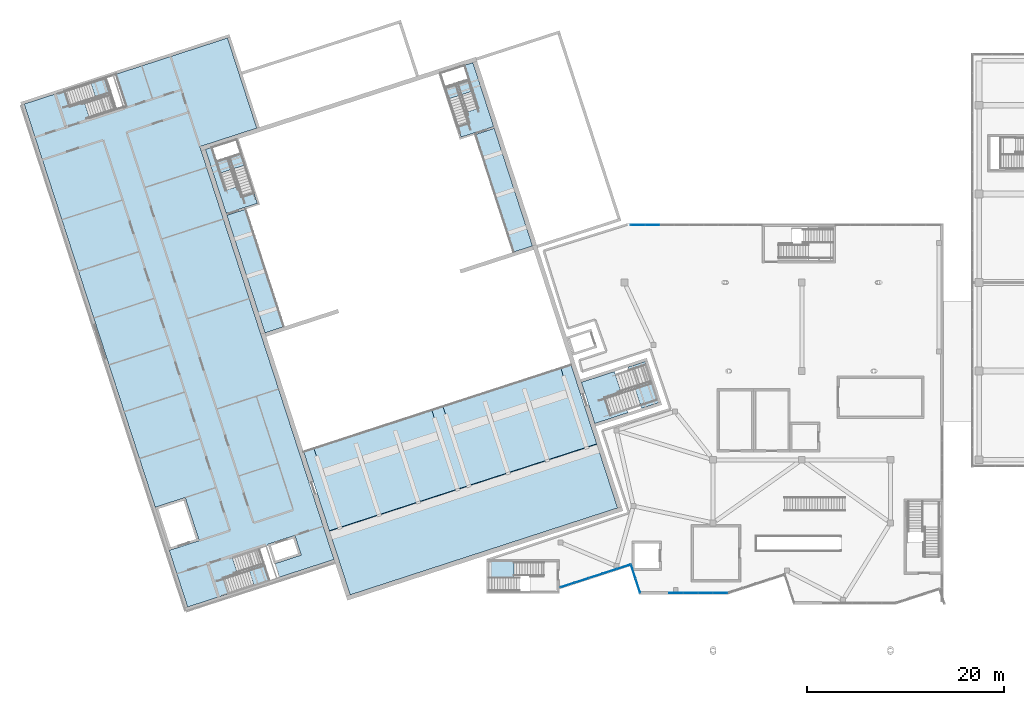
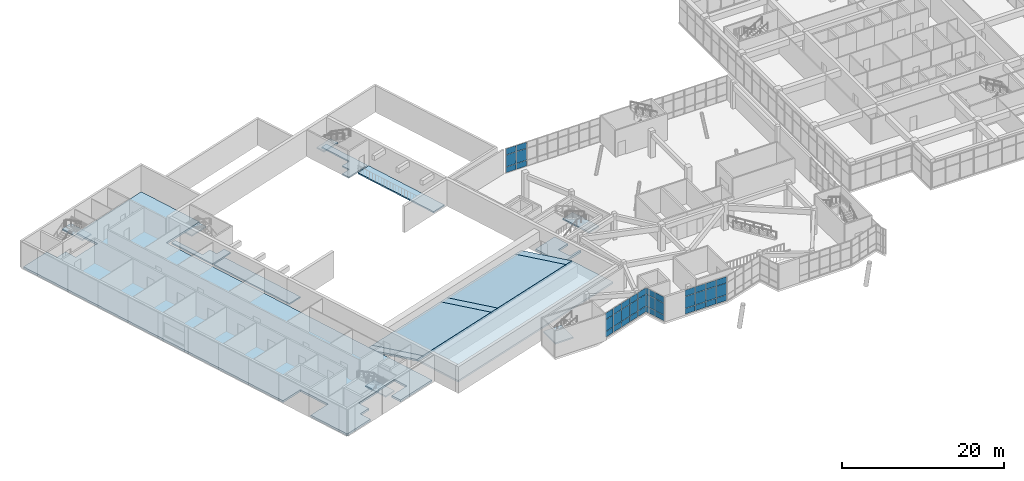
# One storey, part 46 of 66: 39 plates, 18 slabs, 10 elements without a shape of their own.
"""IFC4 building model written with IfcOpenShell, lengths in metres."""

from ifc_helpers import new_model, si_unit, direction, frame, origin, origin_2d, place, context, subcontext, project, spatial, polyline, rectangle, outline, extrude, material, layer, layer_set, type_object, element, aggregate, save


model = new_model("IFC4")

# Units and contexts
model_context = context("Model", 3, precision=1e-05, world=origin(), true_north=direction((0.0, 1.0)))
body_context = subcontext(model_context, "Body", "Model", "MODEL_VIEW")
ifc_project = project(units=[si_unit("LENGTHUNIT", "METRE"), si_unit("AREAUNIT", "SQUARE_METRE"), si_unit("VOLUMEUNIT", "CUBIC_METRE"), si_unit("PLANEANGLEUNIT", "RADIAN"), si_unit("MASSUNIT", "GRAM", prefix="KILO")], contexts=[model_context])

# Site, building, storey
site_placement = place(None, origin())
site = spatial("IfcSite", under=ifc_project, at=site_placement, CompositionType="ELEMENT")
building_placement = place(site_placement, origin())
building = spatial("IfcBuilding", under=site, at=building_placement, Name="Tuart Plaza Theatre", CompositionType="ELEMENT")
storey_placement = place(building_placement, frame((0.0, 0.0, 5.5)))
storey = spatial("IfcBuildingStorey", under=building, at=storey_placement, Name="L01", CompositionType="ELEMENT", Elevation=5.5)

# Curtain wall, plates
ifc_material_1 = material(Name="Aluminium and glass", Category="aluminium")
ifc_layer_1 = layer(ifc_material_1, 0.10009765625)
ifc_layer_set_1 = layer_set([ifc_layer_1], Name="CURTAIN WALL 1500 module")
curtain_wall_type = type_object("IfcCurtainWallType", Name="CURTAIN WALL 1500 module", PredefinedType="NOTDEFINED", material=ifc_layer_set_1)
curtain_wall_1_placement = place(storey_placement, origin())
curtain_wall_1 = element("IfcCurtainWall", 1, at=curtain_wall_1_placement, inside=storey, type_object=curtain_wall_type, Name="CW13", PredefinedType="NOTDEFINED")
ifc_material_2 = material(Name="Glass", Category="glass")
ifc_layer_2 = layer(ifc_material_2, 0.028076171875)
ifc_layer_set_2 = layer_set([ifc_layer_2], Name="CURTAIN PANEL double glazed 28")
plate_type = type_object("IfcPlateType", Name="CURTAIN PANEL double glazed 28", PredefinedType="CURTAIN_PANEL", material=ifc_layer_set_2)
plate_1_placement = place(storey_placement, frame((72.2275390625, 43.281494140625, 0.0498046875), z_axis=(0.0, 0.0, 1.0), x_axis=(0.951066723155, 0.308985579126, 0.0)))
plate_1 = element("IfcPlate", 2, at=plate_1_placement, type_object=plate_type, Name="CW13 panel 1.1", PredefinedType="CURTAIN_PANEL", context=body_context, shape_type="SweptSolid", body=[
    extrude(rectangle(XDim=1.429931640625, YDim=0.028076171875, at=origin_2d()), origin(), (0.0, 0.0, 1.0), 0.824951171875),
])
plate_2_placement = place(storey_placement, frame((72.2275390625, 43.281494140625, 0.925048828125), z_axis=(0.0, 0.0, 1.0), x_axis=(0.951066723155, 0.308985579126, 0.0)))
plate_2 = element("IfcPlate", 3, at=plate_2_placement, type_object=plate_type, Name="CW13 panel 1.2", PredefinedType="CURTAIN_PANEL", context=body_context, shape_type="SweptSolid", body=[
    extrude(rectangle(XDim=1.429931640625, YDim=0.028076171875, at=origin_2d()), origin(), (0.0, 0.0, 1.0), 1.75),
])
plate_3_placement = place(storey_placement, frame((72.2275390625, 43.281494140625, 2.72509765625), z_axis=(0.0, 0.0, 1.0), x_axis=(0.951066723155, 0.308985579126, 0.0)))
plate_3 = element("IfcPlate", 4, at=plate_3_placement, type_object=plate_type, Name="CW13 panel 1.3", PredefinedType="CURTAIN_PANEL", context=body_context, shape_type="SweptSolid", body=[
    extrude(rectangle(XDim=1.429931640625, YDim=0.028076171875, at=origin_2d()), origin(), (0.0, 0.0, 1.0), 0.925048828125),
])
plate_4_placement = place(storey_placement, frame((73.64697265625, 43.742431640625, 0.0498046875), z_axis=(0.0, 0.0, 1.0), x_axis=(0.951066723155, 0.308985579126, 0.0)))
plate_4 = element("IfcPlate", 5, at=plate_4_placement, type_object=plate_type, Name="CW13 panel 2.1", PredefinedType="CURTAIN_PANEL", context=body_context, shape_type="SweptSolid", body=[
    extrude(rectangle(XDim=1.454833984375, YDim=0.028076171875, at=origin_2d()), origin(), (0.0, 0.0, 1.0), 0.824951171875),
])
plate_5_placement = place(storey_placement, frame((73.64697265625, 43.742431640625, 0.925048828125), z_axis=(0.0, 0.0, 1.0), x_axis=(0.951066723155, 0.308985579126, 0.0)))
plate_5 = element("IfcPlate", 6, at=plate_5_placement, type_object=plate_type, Name="CW13 panel 2.2", PredefinedType="CURTAIN_PANEL", context=body_context, shape_type="SweptSolid", body=[
    extrude(rectangle(XDim=1.454833984375, YDim=0.028076171875, at=origin_2d()), origin(), (0.0, 0.0, 1.0), 1.75),
])
plate_6_placement = place(storey_placement, frame((73.64697265625, 43.742431640625, 2.72509765625), z_axis=(0.0, 0.0, 1.0), x_axis=(0.951066723155, 0.308985579126, 0.0)))
plate_6 = element("IfcPlate", 7, at=plate_6_placement, type_object=plate_type, Name="CW13 panel 2.3", PredefinedType="CURTAIN_PANEL", context=body_context, shape_type="SweptSolid", body=[
    extrude(rectangle(XDim=1.454833984375, YDim=0.028076171875, at=origin_2d()), origin(), (0.0, 0.0, 1.0), 0.925048828125),
])
plate_7_placement = place(storey_placement, frame((75.078125, 44.20751953125, 0.0498046875), z_axis=(0.0, 0.0, 1.0), x_axis=(0.951066723155, 0.308985579126, 0.0)))
plate_7 = element("IfcPlate", 8, at=plate_7_placement, type_object=plate_type, Name="CW13 panel 3.1", PredefinedType="CURTAIN_PANEL", context=body_context, shape_type="SweptSolid", body=[
    extrude(rectangle(XDim=1.454833984375, YDim=0.028076171875, at=origin_2d()), origin(), (0.0, 0.0, 1.0), 0.824951171875),
])
plate_8_placement = place(storey_placement, frame((75.078125, 44.20751953125, 0.925048828125), z_axis=(0.0, 0.0, 1.0), x_axis=(0.951066723155, 0.308985579126, 0.0)))
plate_8 = element("IfcPlate", 9, at=plate_8_placement, type_object=plate_type, Name="CW13 panel 3.2", PredefinedType="CURTAIN_PANEL", context=body_context, shape_type="SweptSolid", body=[
    extrude(rectangle(XDim=1.454833984375, YDim=0.028076171875, at=origin_2d()), origin(), (0.0, 0.0, 1.0), 1.75),
])
plate_9_placement = place(storey_placement, frame((75.078125, 44.20751953125, 2.72509765625), z_axis=(0.0, 0.0, 1.0), x_axis=(0.951066723155, 0.308985579126, 0.0)))
plate_9 = element("IfcPlate", 10, at=plate_9_placement, type_object=plate_type, Name="CW13 panel 3.3", PredefinedType="CURTAIN_PANEL", context=body_context, shape_type="SweptSolid", body=[
    extrude(rectangle(XDim=1.454833984375, YDim=0.028076171875, at=origin_2d()), origin(), (0.0, 0.0, 1.0), 0.925048828125),
])
plate_10_placement = place(storey_placement, frame((76.509521484375, 44.672607421875, 0.0498046875), z_axis=(0.0, 0.0, 1.0), x_axis=(0.951066723155, 0.308985579126, 0.0)))
plate_10 = element("IfcPlate", 11, at=plate_10_placement, type_object=plate_type, Name="CW13 panel 4.1", PredefinedType="CURTAIN_PANEL", context=body_context, shape_type="SweptSolid", body=[
    extrude(rectangle(XDim=1.454833984375, YDim=0.028076171875, at=origin_2d()), origin(), (0.0, 0.0, 1.0), 0.824951171875),
])
plate_11_placement = place(storey_placement, frame((76.509521484375, 44.672607421875, 0.925048828125), z_axis=(0.0, 0.0, 1.0), x_axis=(0.951066723155, 0.308985579126, 0.0)))
plate_11 = element("IfcPlate", 12, at=plate_11_placement, type_object=plate_type, Name="CW13 panel 4.2", PredefinedType="CURTAIN_PANEL", context=body_context, shape_type="SweptSolid", body=[
    extrude(rectangle(XDim=1.454833984375, YDim=0.028076171875, at=origin_2d()), origin(), (0.0, 0.0, 1.0), 1.75),
])
plate_12_placement = place(storey_placement, frame((76.509521484375, 44.672607421875, 2.72509765625), z_axis=(0.0, 0.0, 1.0), x_axis=(0.951066723155, 0.308985579126, 0.0)))
plate_12 = element("IfcPlate", 13, at=plate_12_placement, type_object=plate_type, Name="CW13 panel 4.3", PredefinedType="CURTAIN_PANEL", context=body_context, shape_type="SweptSolid", body=[
    extrude(rectangle(XDim=1.454833984375, YDim=0.028076171875, at=origin_2d()), origin(), (0.0, 0.0, 1.0), 0.925048828125),
])
plate_13_placement = place(storey_placement, frame((77.9287109375, 45.133544921875, 0.0498046875), z_axis=(0.0, 0.0, 1.0), x_axis=(0.951066723155, 0.308985579126, 0.0)))
plate_13 = element("IfcPlate", 14, at=plate_13_placement, type_object=plate_type, Name="CW13 panel 5.1", PredefinedType="CURTAIN_PANEL", context=body_context, shape_type="SweptSolid", body=[
    extrude(rectangle(XDim=1.429931640625, YDim=0.028076171875, at=origin_2d()), origin(), (0.0, 0.0, 1.0), 0.824951171875),
])
plate_14_placement = place(storey_placement, frame((77.9287109375, 45.133544921875, 0.925048828125), z_axis=(0.0, 0.0, 1.0), x_axis=(0.951066723155, 0.308985579126, 0.0)))
plate_14 = element("IfcPlate", 15, at=plate_14_placement, type_object=plate_type, Name="CW13 panel 5.2", PredefinedType="CURTAIN_PANEL", context=body_context, shape_type="SweptSolid", body=[
    extrude(rectangle(XDim=1.429931640625, YDim=0.028076171875, at=origin_2d()), origin(), (0.0, 0.0, 1.0), 1.75),
])
plate_15_placement = place(storey_placement, frame((77.9287109375, 45.133544921875, 2.72509765625), z_axis=(0.0, 0.0, 1.0), x_axis=(0.951066723155, 0.308985579126, 0.0)))
plate_15 = element("IfcPlate", 16, at=plate_15_placement, type_object=plate_type, Name="CW13 panel 5.3", PredefinedType="CURTAIN_PANEL", context=body_context, shape_type="SweptSolid", body=[
    extrude(rectangle(XDim=1.429931640625, YDim=0.028076171875, at=origin_2d()), origin(), (0.0, 0.0, 1.0), 0.925048828125),
])
aggregate(curtain_wall_1, [plate_1, plate_2, plate_3, plate_4, plate_5, plate_6, plate_7, plate_8, plate_9, plate_10, plate_11, plate_12, plate_13, plate_14, plate_15])

curtain_wall_2_placement = place(storey_placement, origin())
curtain_wall_2 = element("IfcCurtainWall", 17, at=curtain_wall_2_placement, inside=storey, type_object=curtain_wall_type, Name="CW14", PredefinedType="NOTDEFINED")
plate_16_placement = place(storey_placement, frame((78.89501953125, 44.635009765625, 0.0498046875), z_axis=(0.0, 0.0, 1.0), x_axis=(0.309018232516, -0.951056113998, 0.0)))
plate_16 = element("IfcPlate", 18, at=plate_16_placement, type_object=plate_type, Name="CW14 panel 1.1", PredefinedType="CURTAIN_PANEL", context=body_context, shape_type="SweptSolid", body=[
    extrude(rectangle(XDim=1.4453125, YDim=0.028076171875, at=origin_2d()), origin(), (0.0, 0.0, 1.0), 0.824951171875),
])
plate_17_placement = place(storey_placement, frame((78.89501953125, 44.635009765625, 0.925048828125), z_axis=(0.0, 0.0, 1.0), x_axis=(0.309018232516, -0.951056113998, 0.0)))
plate_17 = element("IfcPlate", 19, at=plate_17_placement, type_object=plate_type, Name="CW14 panel 1.2", PredefinedType="CURTAIN_PANEL", context=body_context, shape_type="SweptSolid", body=[
    extrude(rectangle(XDim=1.4453125, YDim=0.028076171875, at=origin_2d()), origin(), (0.0, 0.0, 1.0), 1.75),
])
plate_18_placement = place(storey_placement, frame((78.89501953125, 44.635009765625, 2.72509765625), z_axis=(0.0, 0.0, 1.0), x_axis=(0.309018232516, -0.951056113998, 0.0)))
plate_18 = element("IfcPlate", 20, at=plate_18_placement, type_object=plate_type, Name="CW14 panel 1.3", PredefinedType="CURTAIN_PANEL", context=body_context, shape_type="SweptSolid", body=[
    extrude(rectangle(XDim=1.4453125, YDim=0.028076171875, at=origin_2d()), origin(), (0.0, 0.0, 1.0), 0.925048828125),
])
plate_19_placement = place(storey_placement, frame((79.357177734375, 43.212890625, 0.0498046875), z_axis=(0.0, 0.0, 1.0), x_axis=(0.309018232516, -0.951056113998, 0.0)))
plate_19 = element("IfcPlate", 21, at=plate_19_placement, type_object=plate_type, Name="CW14 panel 2.1", PredefinedType="CURTAIN_PANEL", context=body_context, shape_type="SweptSolid", body=[
    extrude(rectangle(XDim=1.4453125, YDim=0.028076171875, at=origin_2d()), origin(), (0.0, 0.0, 1.0), 0.824951171875),
])
plate_20_placement = place(storey_placement, frame((79.357177734375, 43.212890625, 0.925048828125), z_axis=(0.0, 0.0, 1.0), x_axis=(0.309018232516, -0.951056113998, 0.0)))
plate_20 = element("IfcPlate", 22, at=plate_20_placement, type_object=plate_type, Name="CW14 panel 2.2", PredefinedType="CURTAIN_PANEL", context=body_context, shape_type="SweptSolid", body=[
    extrude(rectangle(XDim=1.4453125, YDim=0.028076171875, at=origin_2d()), origin(), (0.0, 0.0, 1.0), 1.75),
])
plate_21_placement = place(storey_placement, frame((79.357177734375, 43.212890625, 2.72509765625), z_axis=(0.0, 0.0, 1.0), x_axis=(0.309018232516, -0.951056113998, 0.0)))
plate_21 = element("IfcPlate", 23, at=plate_21_placement, type_object=plate_type, Name="CW14 panel 2.3", PredefinedType="CURTAIN_PANEL", context=body_context, shape_type="SweptSolid", body=[
    extrude(rectangle(XDim=1.4453125, YDim=0.028076171875, at=origin_2d()), origin(), (0.0, 0.0, 1.0), 0.925048828125),
])
aggregate(curtain_wall_2, [plate_16, plate_17, plate_18, plate_19, plate_20, plate_21])

curtain_wall_3_placement = place(storey_placement, origin())
curtain_wall_3 = element("IfcCurtainWall", 24, at=curtain_wall_3_placement, inside=storey, type_object=curtain_wall_type, Name="CW15", PredefinedType="NOTDEFINED")
plate_22_placement = place(storey_placement, frame((83.24658203125, 42.47802734375, 0.0498046875), z_axis=(0.0, 0.0, 1.0), x_axis=(1.0, 0.0, 0.0)))
plate_22 = element("IfcPlate", 25, at=plate_22_placement, type_object=plate_type, Name="CW15 panel 1.1", PredefinedType="CURTAIN_PANEL", context=body_context, shape_type="SweptSolid", body=[
    extrude(rectangle(XDim=1.4189453125, YDim=0.028076171875, at=origin_2d()), origin(), (0.0, 0.0, 1.0), 0.824951171875),
])
plate_23_placement = place(storey_placement, frame((83.24658203125, 42.47802734375, 0.925048828125), z_axis=(0.0, 0.0, 1.0), x_axis=(1.0, 0.0, 0.0)))
plate_23 = element("IfcPlate", 26, at=plate_23_placement, type_object=plate_type, Name="CW15 panel 1.2", PredefinedType="CURTAIN_PANEL", context=body_context, shape_type="SweptSolid", body=[
    extrude(rectangle(XDim=1.4189453125, YDim=0.028076171875, at=origin_2d()), origin(), (0.0, 0.0, 1.0), 1.75),
])
plate_24_placement = place(storey_placement, frame((83.24658203125, 42.47802734375, 2.72509765625), z_axis=(0.0, 0.0, 1.0), x_axis=(1.0, 0.0, 0.0)))
plate_24 = element("IfcPlate", 27, at=plate_24_placement, type_object=plate_type, Name="CW15 panel 1.3", PredefinedType="CURTAIN_PANEL", context=body_context, shape_type="SweptSolid", body=[
    extrude(rectangle(XDim=1.4189453125, YDim=0.028076171875, at=origin_2d()), origin(), (0.0, 0.0, 1.0), 0.925048828125),
])
plate_25_placement = place(storey_placement, frame((84.72802734375, 42.47802734375, 0.0498046875), z_axis=(0.0, 0.0, 1.0), x_axis=(1.0, 0.0, 0.0)))
plate_25 = element("IfcPlate", 28, at=plate_25_placement, type_object=plate_type, Name="CW15 panel 2.1", PredefinedType="CURTAIN_PANEL", context=body_context, shape_type="SweptSolid", body=[
    extrude(rectangle(XDim=1.444091796875, YDim=0.028076171875, at=origin_2d()), origin(), (0.0, 0.0, 1.0), 0.824951171875),
])
plate_26_placement = place(storey_placement, frame((84.72802734375, 42.47802734375, 0.925048828125), z_axis=(0.0, 0.0, 1.0), x_axis=(1.0, 0.0, 0.0)))
plate_26 = element("IfcPlate", 29, at=plate_26_placement, type_object=plate_type, Name="CW15 panel 2.2", PredefinedType="CURTAIN_PANEL", context=body_context, shape_type="SweptSolid", body=[
    extrude(rectangle(XDim=1.444091796875, YDim=0.028076171875, at=origin_2d()), origin(), (0.0, 0.0, 1.0), 1.75),
])
plate_27_placement = place(storey_placement, frame((84.72802734375, 42.47802734375, 2.72509765625), z_axis=(0.0, 0.0, 1.0), x_axis=(1.0, 0.0, 0.0)))
plate_27 = element("IfcPlate", 30, at=plate_27_placement, type_object=plate_type, Name="CW15 panel 2.3", PredefinedType="CURTAIN_PANEL", context=body_context, shape_type="SweptSolid", body=[
    extrude(rectangle(XDim=1.444091796875, YDim=0.028076171875, at=origin_2d()), origin(), (0.0, 0.0, 1.0), 0.925048828125),
])
plate_28_placement = place(storey_placement, frame((86.22216796875, 42.47802734375, 0.0498046875), z_axis=(0.0, 0.0, 1.0), x_axis=(1.0, 0.0, 0.0)))
plate_28 = element("IfcPlate", 31, at=plate_28_placement, type_object=plate_type, Name="CW15 panel 3.1", PredefinedType="CURTAIN_PANEL", context=body_context, shape_type="SweptSolid", body=[
    extrude(rectangle(XDim=1.444091796875, YDim=0.028076171875, at=origin_2d()), origin(), (0.0, 0.0, 1.0), 0.824951171875),
])
plate_29_placement = place(storey_placement, frame((86.22216796875, 42.47802734375, 0.925048828125), z_axis=(0.0, 0.0, 1.0), x_axis=(1.0, 0.0, 0.0)))
plate_29 = element("IfcPlate", 32, at=plate_29_placement, type_object=plate_type, Name="CW15 panel 3.2", PredefinedType="CURTAIN_PANEL", context=body_context, shape_type="SweptSolid", body=[
    extrude(rectangle(XDim=1.444091796875, YDim=0.028076171875, at=origin_2d()), origin(), (0.0, 0.0, 1.0), 1.75),
])
plate_30_placement = place(storey_placement, frame((86.22216796875, 42.47802734375, 2.72509765625), z_axis=(0.0, 0.0, 1.0), x_axis=(1.0, 0.0, 0.0)))
plate_30 = element("IfcPlate", 33, at=plate_30_placement, type_object=plate_type, Name="CW15 panel 3.3", PredefinedType="CURTAIN_PANEL", context=body_context, shape_type="SweptSolid", body=[
    extrude(rectangle(XDim=1.444091796875, YDim=0.028076171875, at=origin_2d()), origin(), (0.0, 0.0, 1.0), 0.925048828125),
])
plate_31_placement = place(storey_placement, frame((87.70361328125, 42.47802734375, 0.0498046875), z_axis=(0.0, 0.0, 1.0), x_axis=(1.0, 0.0, 0.0)))
plate_31 = element("IfcPlate", 34, at=plate_31_placement, type_object=plate_type, Name="CW15 panel 4.1", PredefinedType="CURTAIN_PANEL", context=body_context, shape_type="SweptSolid", body=[
    extrude(rectangle(XDim=1.4189453125, YDim=0.028076171875, at=origin_2d()), origin(), (0.0, 0.0, 1.0), 0.824951171875),
])
plate_32_placement = place(storey_placement, frame((87.70361328125, 42.47802734375, 0.925048828125), z_axis=(0.0, 0.0, 1.0), x_axis=(1.0, 0.0, 0.0)))
plate_32 = element("IfcPlate", 35, at=plate_32_placement, type_object=plate_type, Name="CW15 panel 4.2", PredefinedType="CURTAIN_PANEL", context=body_context, shape_type="SweptSolid", body=[
    extrude(rectangle(XDim=1.4189453125, YDim=0.028076171875, at=origin_2d()), origin(), (0.0, 0.0, 1.0), 1.75),
])
plate_33_placement = place(storey_placement, frame((87.70361328125, 42.47802734375, 2.72509765625), z_axis=(0.0, 0.0, 1.0), x_axis=(1.0, 0.0, 0.0)))
plate_33 = element("IfcPlate", 36, at=plate_33_placement, type_object=plate_type, Name="CW15 panel 4.3", PredefinedType="CURTAIN_PANEL", context=body_context, shape_type="SweptSolid", body=[
    extrude(rectangle(XDim=1.4189453125, YDim=0.028076171875, at=origin_2d()), origin(), (0.0, 0.0, 1.0), 0.925048828125),
])
aggregate(curtain_wall_3, [plate_22, plate_23, plate_24, plate_25, plate_26, plate_27, plate_28, plate_29, plate_30, plate_31, plate_32, plate_33])

curtain_wall_4_placement = place(storey_placement, origin())
curtain_wall_4 = element("IfcCurtainWall", 37, at=curtain_wall_4_placement, inside=storey, type_object=curtain_wall_type, Name="CW23", PredefinedType="NOTDEFINED")
plate_34_placement = place(storey_placement, frame((79.351318359375, 79.8369140625, 0.0498046875), z_axis=(0.0, 0.0, 1.0), x_axis=(1.0, 0.0, 0.0)))
plate_34 = element("IfcPlate", 38, at=plate_34_placement, type_object=plate_type, Name="CW23 panel 1.1", PredefinedType="CURTAIN_PANEL", context=body_context, shape_type="SweptSolid", body=[
    extrude(rectangle(XDim=1.41455078125, YDim=0.028076171875, at=origin_2d()), origin(), (0.0, 0.0, 1.0), 0.824951171875),
])
plate_35_placement = place(storey_placement, frame((79.351318359375, 79.8369140625, 0.925048828125), z_axis=(0.0, 0.0, 1.0), x_axis=(1.0, 0.0, 0.0)))
plate_35 = element("IfcPlate", 39, at=plate_35_placement, type_object=plate_type, Name="CW23 panel 1.2", PredefinedType="CURTAIN_PANEL", context=body_context, shape_type="SweptSolid", body=[
    extrude(rectangle(XDim=1.41455078125, YDim=0.028076171875, at=origin_2d()), origin(), (0.0, 0.0, 1.0), 1.75),
])
plate_36_placement = place(storey_placement, frame((79.351318359375, 79.8369140625, 2.72509765625), z_axis=(0.0, 0.0, 1.0), x_axis=(1.0, 0.0, 0.0)))
plate_36 = element("IfcPlate", 40, at=plate_36_placement, type_object=plate_type, Name="CW23 panel 1.3", PredefinedType="CURTAIN_PANEL", context=body_context, shape_type="SweptSolid", body=[
    extrude(rectangle(XDim=1.41455078125, YDim=0.028076171875, at=origin_2d()), origin(), (0.0, 0.0, 1.0), 0.925048828125),
])
plate_37_placement = place(storey_placement, frame((80.828369140625, 79.8369140625, 0.0498046875), z_axis=(0.0, 0.0, 1.0), x_axis=(1.0, 0.0, 0.0)))
plate_37 = element("IfcPlate", 41, at=plate_37_placement, type_object=plate_type, Name="CW23 panel 2.1", PredefinedType="CURTAIN_PANEL", context=body_context, shape_type="SweptSolid", body=[
    extrude(rectangle(XDim=1.439453125, YDim=0.028076171875, at=origin_2d()), origin(), (0.0, 0.0, 1.0), 0.824951171875),
])
plate_38_placement = place(storey_placement, frame((80.828369140625, 79.8369140625, 0.925048828125), z_axis=(0.0, 0.0, 1.0), x_axis=(1.0, 0.0, 0.0)))
plate_38 = element("IfcPlate", 42, at=plate_38_placement, type_object=plate_type, Name="CW23 panel 2.2", PredefinedType="CURTAIN_PANEL", context=body_context, shape_type="SweptSolid", body=[
    extrude(rectangle(XDim=1.439453125, YDim=0.028076171875, at=origin_2d()), origin(), (0.0, 0.0, 1.0), 1.75),
])
plate_39_placement = place(storey_placement, frame((80.828369140625, 79.8369140625, 2.72509765625), z_axis=(0.0, 0.0, 1.0), x_axis=(1.0, 0.0, 0.0)))
plate_39 = element("IfcPlate", 43, at=plate_39_placement, type_object=plate_type, Name="CW23 panel 2.3", PredefinedType="CURTAIN_PANEL", context=body_context, shape_type="SweptSolid", body=[
    extrude(rectangle(XDim=1.439453125, YDim=0.028076171875, at=origin_2d()), origin(), (0.0, 0.0, 1.0), 0.925048828125),
])
aggregate(curtain_wall_4, [plate_34, plate_35, plate_36, plate_37, plate_38, plate_39])

# Slabs
ifc_material_3 = material(Name="Concrete N40 (40 MPa)", Category="concrete")
ifc_layer_3 = layer(ifc_material_3, 0.199951171875)
ifc_layer_set_3 = layer_set([ifc_layer_3], Name="SLAB Floor 200 Concrete N40 (40 MPa)")
slab_type_1 = type_object("IfcSlabType", Name="SLAB Floor 200 Concrete N40 (40 MPa)", PredefinedType="FLOOR", material=ifc_layer_set_3)
slab_1_placement = place(storey_placement, frame((0.0, 0.0, -0.199951171875)))
element("IfcSlab", 44, at=slab_1_placement, inside=storey, type_object=slab_type_1, Name="S4", PredefinedType="FLOOR", context=body_context, shape_type="SweptSolid", body=[
    extrude(outline(polyline([(35.45068359375, 87.50634765625), (37.559814453125, 81.015380859375), (40.721923828125, 82.042724609375), (40.38818359375, 83.06982421875), (39.114013671875, 82.65576171875), (38.75537109375, 83.759033203125), (37.4951171875, 83.349609375), (36.078369140625, 87.710205078125), (35.45068359375, 87.50634765625)])), origin(), (0.0, 0.0, 1.0), 0.199951171875),
])
slab_2_placement = place(storey_placement, frame((0.0, 0.0, -0.199951171875)))
element("IfcSlab", 45, at=slab_2_placement, inside=storey, type_object=slab_type_1, Name="S9", PredefinedType="FLOOR", context=body_context, shape_type="SweptSolid", body=[
    extrude(outline(polyline([(61.407470703125, 88.763916015625), (64.71240234375, 89.837646484375), (62.603271484375, 96.32861328125), (61.76171875, 96.05517578125), (63.178466796875, 91.694580078125), (61.91845703125, 91.28515625), (62.27685546875, 90.181884765625), (61.07373046875, 89.791015625), (61.407470703125, 88.763916015625)])), origin(), (0.0, 0.0, 1.0), 0.199951171875),
])
slab_3_placement = place(storey_placement, frame((0.0, 0.0, -0.199951171875)))
element("IfcSlab", 46, at=slab_3_placement, inside=storey, type_object=slab_type_1, Name="S52", PredefinedType="FLOOR", context=body_context, shape_type="SweptSolid", body=[
    extrude(outline(polyline([(43.40185546875, 69.50732421875), (39.523681640625, 81.443115234375), (37.62158203125, 80.8251953125), (41.499755859375, 68.889404296875), (43.40185546875, 69.50732421875)])), origin(), (0.0, 0.0, 1.0), 0.199951171875),
])
slab_4_placement = place(storey_placement, frame((0.0, 0.0, -0.199951171875)))
element("IfcSlab", 47, at=slab_4_placement, inside=storey, type_object=slab_type_1, Name="S53", PredefinedType="FLOOR", context=body_context, shape_type="SweptSolid", body=[
    extrude(outline(polyline([(68.65234375, 77.711669921875), (64.774169921875, 89.6474609375), (62.8720703125, 89.029541015625), (66.750244140625, 77.09375), (68.65234375, 77.711669921875)])), origin(), (0.0, 0.0, 1.0), 0.199951171875),
])
ifc_material_4 = material(Name="Concrete N40 (40 MPa)", Category="concrete")
ifc_layer_4 = layer(ifc_material_4, 0.25)
ifc_layer_set_4 = layer_set([ifc_layer_4], Name="SLAB Floor 250 Concrete N40 (40 MPa)")
slab_type_2 = type_object("IfcSlabType", Name="SLAB Floor 250 Concrete N40 (40 MPa)", PredefinedType="FLOOR", material=ifc_layer_set_4)
slab_5_placement = place(storey_placement, frame((48.02978515625, 48.79150390625, 1.480712890625), z_axis=(-0.083974396936, 0.258405953948, 0.962379687869), x_axis=(0.951072430084, 0.308968011245, 2.7598332e-05)))
element("IfcSlab", 48, at=slab_5_placement, inside=storey, type_object=slab_type_2, Name="S39", PredefinedType="FLOOR", context=body_context, shape_type="SweptSolid", body=[
    extrude(outline(polyline([(0.0, 0.0), (1.0999582115630935, 5.551115123125783e-17), (1.099681636408937, 8.761773661399994), (-0.0003520067975270435, 8.761550200680764), (0.0, 0.0)])), origin(), (0.0, 0.0, -1.0), 0.25),
])
slab_6_placement = place(storey_placement, frame((61.03564453125, 53.017333984375, 1.480712890625), z_axis=(-0.083971312811, 0.25840941523, 0.96237902759), x_axis=(0.951037776659, 0.309074662987, -8.22159e-06)))
element("IfcSlab", 49, at=slab_6_placement, inside=storey, type_object=slab_type_2, Name="S40", PredefinedType="FLOOR", context=body_context, shape_type="SweptSolid", body=[
    extrude(outline(polyline([(0.0, 0.0), (1.1998620559521254, 0.0), (1.2005408819654042, 8.761550181505731), (0.0004466390560868972, 8.761622800914461), (0.0, 0.0)])), origin(), (0.0, 0.0, -1.0), 0.25),
])
slab_7_placement = place(storey_placement, frame((74.136474609375, 57.274169921875, 1.480712890625), z_axis=(-0.083947498128, 0.258415969454, 0.962379345315), x_axis=(0.951074837842, 0.308960600764, 0.0)))
element("IfcSlab", 50, at=slab_7_placement, inside=storey, type_object=slab_type_2, Name="S41", PredefinedType="FLOOR", context=body_context, shape_type="SweptSolid", body=[
    extrude(outline(polyline([(0.0, 0.0), (1.099958212015386, 0.0), (1.0993740101172553, 8.76162279282804), (-0.0005842018981306081, 8.76162279282804), (0.0, 0.0)])), origin(), (0.0, 0.0, -1.0), 0.25),
])
slab_8_placement = place(storey_placement, frame((0.0, 0.0, 1.25)))
element("IfcSlab", 51, at=slab_8_placement, inside=storey, type_object=slab_type_2, Name="S42", PredefinedType="FLOOR", context=body_context, shape_type="SweptSolid", body=[
    extrude(outline(polyline([(77.297119140625, 51.10595703125), (75.20361328125, 57.54931640625), (48.05078125, 48.726806640625), (50.14453125, 42.283447265625), (77.297119140625, 51.10595703125)])), origin(), (0.0, 0.0, 1.0), 0.25),
])
ifc_material_5 = material(Name="Concrete N40 (40 MPa)", Category="concrete")
ifc_layer_5 = layer(ifc_material_5, 0.300048828125)
ifc_layer_set_5 = layer_set([ifc_layer_5], Name="SLAB Floor 300 Concrete N40 (40 MPa)")
slab_type_3 = type_object("IfcSlabType", Name="SLAB Floor 300 Concrete N40 (40 MPa)", PredefinedType="FLOOR", material=ifc_layer_set_5)
slab_9_placement = place(storey_placement, frame((0.0, 0.0, -0.300048828125)))
element("IfcSlab", 52, at=slab_9_placement, inside=storey, type_object=slab_type_3, Name="S2", PredefinedType="FLOOR", context=body_context, shape_type="SweptSolid", body=[
    extrude(outline(polyline([(74.982666015625, 59.685546875), (78.330322265625, 60.7734375), (78.245361328125, 61.034912109375), (76.571533203125, 60.490966796875), (75.9765625, 62.32177734375), (77.650390625, 62.86572265625), (76.970703125, 64.9580078125), (73.622802734375, 63.870361328125), (74.982666015625, 59.685546875)])), origin(), (0.0, 0.0, 1.0), 0.300048828125),
])
slab_10_placement = place(storey_placement, frame((0.0, 0.0, -0.300048828125)))
element("IfcSlab", 53, at=slab_10_placement, inside=storey, type_object=slab_type_3, Name="S28", PredefinedType="FLOOR", context=body_context, shape_type="SweptSolid", body=[
    extrude(outline(polyline([(21.148193359375, 93.45263671875), (17.049072265625, 92.12060546875), (30.352294921875, 51.177734375), (33.395751953125, 52.16650390625), (34.817138671875, 47.791748046875), (31.773681640625, 46.802978515625), (33.643310546875, 41.049072265625), (37.742431640625, 42.380859375), (37.217041015625, 43.99755859375), (38.70068359375, 44.479736328125), (38.17529296875, 46.096435546875), (41.627685546875, 47.21826171875), (41.61279296875, 47.263916015625), (41.802978515625, 47.32568359375), (41.771484375, 47.422607421875), (44.529541015625, 48.31884765625), (45.178466796875, 46.321533203125), (42.525146484375, 45.45947265625), (42.97314453125, 44.080322265625), (48.503662109375, 45.87744140625), (34.8837890625, 87.795166015625), (40.661376953125, 89.67236328125), (37.68701171875, 98.826416015625), (26.37890625, 95.152099609375), (27.444580078125, 91.872802734375), (27.149658203125, 91.777099609375), (27.134765625, 91.82275390625), (23.6826171875, 90.700927734375), (23.1572265625, 92.31787109375), (21.673583984375, 91.835693359375), (21.148193359375, 93.45263671875)])), origin(), (0.0, 0.0, 1.0), 0.300048828125),
])
ifc_material_6 = material(Name="Concrete N40 (40 MPa)", Category="concrete")
ifc_layer_6 = layer(ifc_material_6, 0.25)
ifc_layer_set_6 = layer_set([ifc_layer_6], Name="SLAB Seating Tier 250 Concrete N40 (40 MPa)")
slab_type_4 = type_object("IfcSlabType", Name="SLAB Seating Tier 250 Concrete N40 (40 MPa)", PredefinedType="USERDEFINED", material=ifc_layer_set_6)
slab_11_placement = place(storey_placement, frame((49.075927734375, 49.13134765625, 1.480712890625), z_axis=(-0.083961245176, 0.258409043245, 0.962380005859), x_axis=(0.951055752166, 0.30901934611, -1.629698e-06)))
element("IfcSlab", 54, at=slab_11_placement, inside=storey, type_object=slab_type_4, Name="TR4", ObjectType="SEATING TIER", PredefinedType="USERDEFINED", context=body_context, shape_type="SweptSolid", body=[
    extrude(outline(polyline([(0.0, 0.0), (12.57520240804795, 4.440892098500626e-16), (12.575142913415302, 8.761622812076688), (0.00024814088939090505, 8.761773662282316), (0.0, 0.0)])), origin(), (0.0, 0.0, -1.0), 0.25),
])
slab_12_placement = place(storey_placement, frame((62.1767578125, 53.38818359375, 1.480712890625), z_axis=(-0.083964701573, 0.258411563336, 0.962379027631), x_axis=(0.951055541548, 0.309019994322, 7.84401e-07)))
element("IfcSlab", 55, at=slab_12_placement, inside=storey, type_object=slab_type_4, Name="TR5", ObjectType="SEATING TIER", PredefinedType="USERDEFINED", context=body_context, shape_type="SweptSolid", body=[
    extrude(outline(polyline([(0.0, 0.0), (12.575202408061804, 4.440892098500626e-16), (12.57514291340145, 8.761622812096572), (0.00017269663396795156, 8.761550206100733), (0.0, 0.0)])), origin(), (0.0, 0.0, -1.0), 0.25),
])

# Stair, slab
ifc_material_7 = material(Name="Concrete N40 (40 MPa)", Category="concrete")
stair_type_1 = type_object("IfcStairType", Name="STAIR half turn 1600", PredefinedType="HALF_TURN_STAIR", material=ifc_material_7)
stair_1_placement = place(storey_placement, origin())
stair_1 = element("IfcStair", 56, at=stair_1_placement, inside=storey, type_object=stair_type_1, Name="SA-1", PredefinedType="HALF_TURN_STAIR")
ifc_material_8 = material(Name="Concrete N40 (40 MPa)", Category="concrete")
ifc_layer_7 = layer(ifc_material_8, 0.199951171875)
ifc_layer_set_7 = layer_set([ifc_layer_7], Name="STAIR LANDING 200")
slab_type_5 = type_object("IfcSlabType", Name="STAIR LANDING 200", PredefinedType="LANDING", material=ifc_layer_set_7)
slab_13_placement = place(storey_placement, frame((0.0, 0.0, 1.800048828125)))
slab_13 = element("IfcSlab", 57, at=slab_13_placement, type_object=slab_type_5, Name="SA-1 landing 1", PredefinedType="LANDING", context=body_context, shape_type="SweptSolid", body=[
    extrude(outline(polyline([(40.3857421875, 43.24169921875), (41.93603515625, 43.74560546875), (40.886474609375, 46.975341796875), (39.336181640625, 46.4716796875), (40.3857421875, 43.24169921875)])), origin(), (0.0, 0.0, 1.0), 0.199951171875),
])
aggregate(stair_1, [slab_13])

stair_2_placement = place(storey_placement, origin())
stair_2 = element("IfcStair", 58, at=stair_2_placement, inside=storey, type_object=stair_type_1, Name="SA-2", PredefinedType="HALF_TURN_STAIR")
slab_14_placement = place(storey_placement, frame((0.0, 0.0, 1.800048828125)))
slab_14 = element("IfcSlab", 59, at=slab_14_placement, type_object=slab_type_5, Name="SA-2 landing 1", PredefinedType="LANDING", context=body_context, shape_type="SweptSolid", body=[
    extrude(outline(polyline([(23.792724609375, 94.309814453125), (25.343017578125, 94.8134765625), (26.392333984375, 91.583740234375), (24.842041015625, 91.079833984375), (23.792724609375, 94.309814453125)])), origin(), (0.0, 0.0, 1.0), 0.199951171875),
])
aggregate(stair_2, [slab_14])

ifc_material_9 = material(Name="Concrete N40 (40 MPa)", Category="concrete")
stair_type_2 = type_object("IfcStairType", Name="STAIR half turn 1800", PredefinedType="HALF_TURN_STAIR", material=ifc_material_9)
stair_3_placement = place(storey_placement, origin())
stair_3 = element("IfcStair", 60, at=stair_3_placement, inside=storey, type_object=stair_type_2, Name="SA-3", PredefinedType="HALF_TURN_STAIR")
slab_15_placement = place(storey_placement, frame((0.0, 0.0, 1.800048828125)))
slab_15 = element("IfcSlab", 61, at=slab_15_placement, type_object=slab_type_5, Name="SA-3 landing 1", PredefinedType="LANDING", context=body_context, shape_type="SweptSolid", body=[
    extrude(outline(polyline([(79.71826171875, 61.2265625), (81.458740234375, 61.7919921875), (80.10009765625, 65.972900390625), (78.35986328125, 65.4072265625), (79.71826171875, 61.2265625)])), origin(), (0.0, 0.0, 1.0), 0.199951171875),
])
aggregate(stair_3, [slab_15])

ifc_material_10 = material(Name="Concrete N40 (40 MPa)", Category="concrete")
stair_type_3 = type_object("IfcStairType", Name="STAIR half turn 1200", PredefinedType="HALF_TURN_STAIR", material=ifc_material_10)
stair_4_placement = place(storey_placement, origin())
stair_4 = element("IfcStair", 62, at=stair_4_placement, inside=storey, type_object=stair_type_3, Name="SA-4", PredefinedType="HALF_TURN_STAIR")
slab_16_placement = place(storey_placement, frame((0.0, 0.0, 1.800048828125)))
slab_16 = element("IfcSlab", 63, at=slab_16_placement, type_object=slab_type_5, Name="SA-4 landing 1", PredefinedType="LANDING", context=body_context, shape_type="SweptSolid", body=[
    extrude(outline(polyline([(39.459228515625, 85.92236328125), (39.0791015625, 87.09228515625), (36.593994140625, 86.284912109375), (36.97412109375, 85.114990234375), (39.459228515625, 85.92236328125)])), origin(), (0.0, 0.0, 1.0), 0.199951171875),
])
aggregate(stair_4, [slab_16])

stair_5_placement = place(storey_placement, origin())
stair_5 = element("IfcStair", 64, at=stair_5_placement, inside=storey, type_object=stair_type_3, Name="SA-5", PredefinedType="HALF_TURN_STAIR")
slab_17_placement = place(storey_placement, frame((0.0, 0.0, 1.800048828125)))
slab_17 = element("IfcSlab", 65, at=slab_17_placement, type_object=slab_type_5, Name="SA-5 landing 1", PredefinedType="LANDING", context=body_context, shape_type="SweptSolid", body=[
    extrude(outline(polyline([(60.13720703125, 92.64111328125), (59.757080078125, 93.81103515625), (62.182373046875, 94.598876953125), (62.5625, 93.42919921875), (60.13720703125, 92.64111328125)])), origin(), (0.0, 0.0, 1.0), 0.199951171875),
])
aggregate(stair_5, [slab_17])

ifc_material_11 = material(Name="Concrete N40 (40 MPa)", Category="concrete")
stair_type_4 = type_object("IfcStairType", Name="STAIR half turn 1400", PredefinedType="HALF_TURN_STAIR", material=ifc_material_11)
stair_6_placement = place(storey_placement, origin())
stair_6 = element("IfcStair", 66, at=stair_6_placement, inside=storey, type_object=stair_type_4, Name="SB-2", PredefinedType="HALF_TURN_STAIR")
slab_18_placement = place(storey_placement, frame((0.0, 0.0, 1.800048828125)))
slab_18 = element("IfcSlab", 67, at=slab_18_placement, type_object=slab_type_5, Name="SB-2 landing 1", PredefinedType="LANDING", context=body_context, shape_type="SweptSolid", body=[
    extrude(outline(polyline([(66.7900390625, 45.64794921875), (64.201904296875, 45.64794921875), (64.201904296875, 42.652099609375), (66.7900390625, 42.652099609375), (66.7900390625, 45.64794921875)])), origin(), (0.0, 0.0, 1.0), 0.199951171875),
])
aggregate(stair_6, [slab_18])

save(model, "model.ifc")
